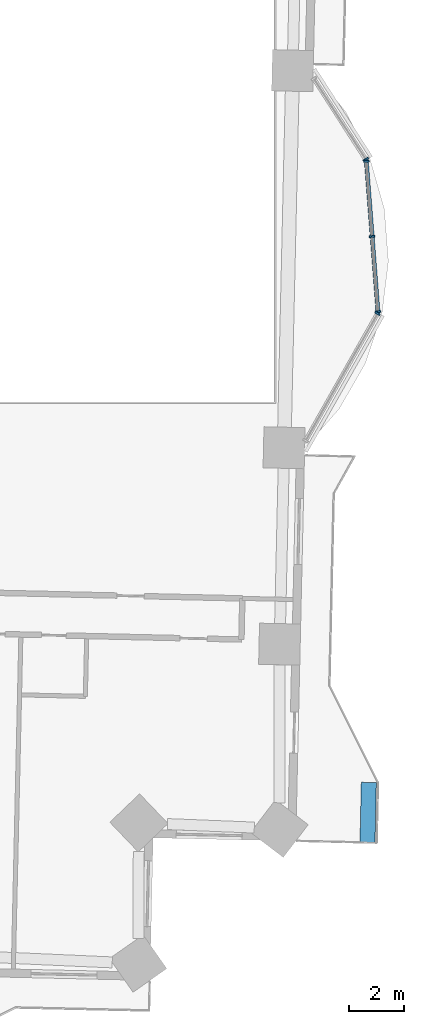
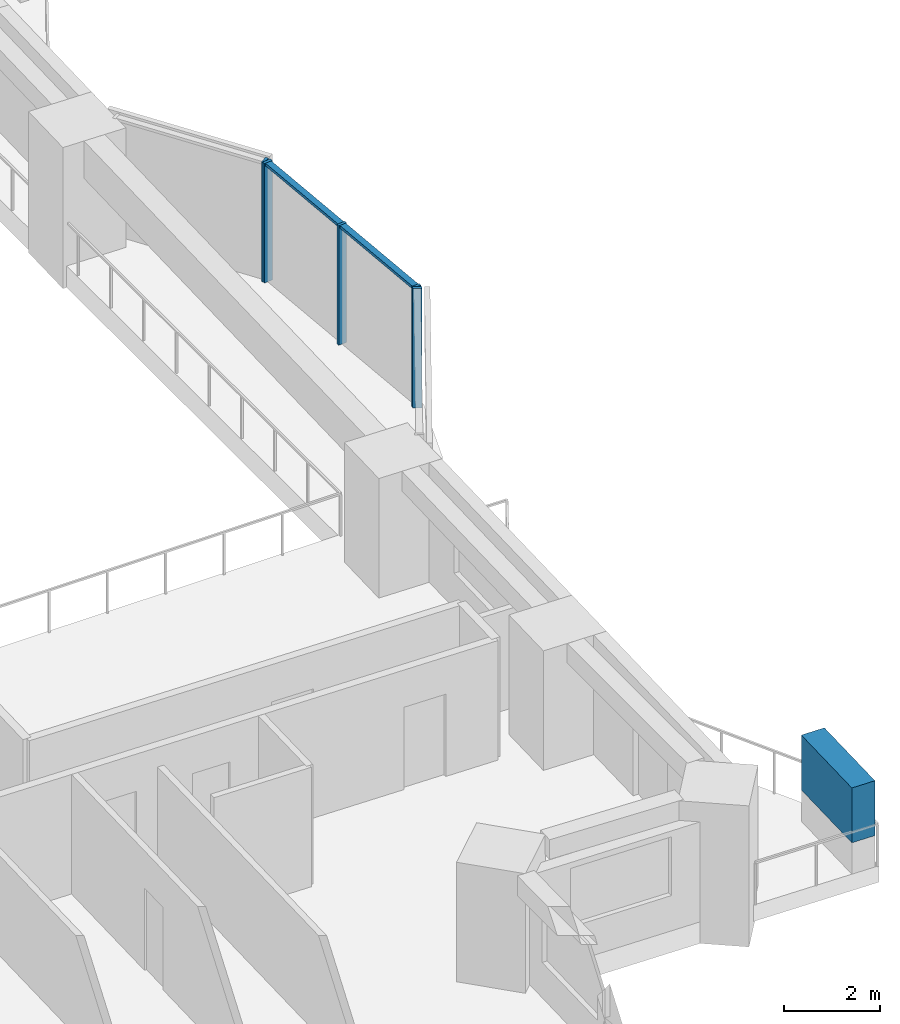
# One storey, part 5 of 18: 8 members, 3 elements without a shape of their own.
"""IFC4 building model written with IfcOpenShell, lengths in metres."""

from ifc_helpers import new_model, si_unit, direction, frame, origin, origin_2d, place, context, subcontext, project, spatial, rectangle, extrude, material, material_profile, profile_set, type_object, element, aggregate, save


model = new_model("IFC4")

# Units and contexts
model_context = context("Model", 3, precision=1e-05, world=origin(), true_north=direction((0.0, 1.0)))
body_context = subcontext(model_context, "Body", "Model", "MODEL_VIEW")
ifc_project = project(units=[si_unit("LENGTHUNIT", "METRE"), si_unit("AREAUNIT", "SQUARE_METRE"), si_unit("VOLUMEUNIT", "CUBIC_METRE"), si_unit("PLANEANGLEUNIT", "RADIAN"), si_unit("MASSUNIT", "GRAM", prefix="KILO")], contexts=[model_context])

# Site, building, storey
site_placement = place(None, origin())
site = spatial("IfcSite", under=ifc_project, at=site_placement, CompositionType="ELEMENT")
building_placement = place(site_placement, origin())
building = spatial("IfcBuilding", under=site, at=building_placement, Name="Mangrove Gate Tower", CompositionType="ELEMENT")
storey_placement = place(building_placement, frame((0.0, 0.0, 56.699951171875)))
storey = spatial("IfcBuildingStorey", under=building, at=storey_placement, Name="L13", CompositionType="ELEMENT", Elevation=56.699951171875)

# Curtain wall, member
ifc_material_1 = material(Name="Aluminium and glass curtain wall", Category="aluminium")
curtain_wall_type = type_object("IfcCurtainWallType", Name="Atrium garden-court glazing wall", PredefinedType="NOTDEFINED", material=ifc_material_1)
curtain_wall_1_placement = place(storey_placement, origin())
curtain_wall_1 = element("IfcCurtainWall", 1, at=curtain_wall_1_placement, inside=storey, type_object=curtain_wall_type, Name="Atrium garden-court glazing E1f1", PredefinedType="NOTDEFINED")
ifc_material_2 = material(Name="Aluminium alloy 6063-T6", Category="aluminium")
ifc_material_profile_1 = material_profile(ifc_material_2, rectangle(XDim=0.070068359375, YDim=0.199951171875, at=origin_2d()))
ifc_profile_set_1 = profile_set([ifc_material_profile_1], Name="Aluminium alloy 6063-T6")
member_type_1 = type_object("IfcMemberType", Name="Atrium garden-court glazing mullion 70x200", PredefinedType="MULLION", material=ifc_profile_set_1)
member_1_placement = place(storey_placement, frame((33.66162109375, -4.2822265625, 0.0), z_axis=(0.0, 0.0, 1.0), x_axis=(0.492603686489, 0.870253760726, 0.0)))
member_1 = element("IfcMember", 2, at=member_1_placement, type_object=member_type_1, Name="CWA mullion 2", PredefinedType="MULLION", context=body_context, shape_type="SweptSolid", body=[
    extrude(rectangle(XDim=0.070068359375, YDim=0.199951171875, at=origin_2d()), origin(), (0.0, 0.0, 1.0), 3.050048828125),
])
aggregate(curtain_wall_1, [member_1])

# Curtain wall, members
curtain_wall_2_placement = place(storey_placement, origin())
curtain_wall_2 = element("IfcCurtainWall", 3, at=curtain_wall_2_placement, inside=storey, type_object=curtain_wall_type, Name="Atrium garden-court glazing E1f2", PredefinedType="NOTDEFINED")
member_2_placement = place(storey_placement, frame((33.67626953125, -4.217041015625, 0.0), z_axis=(0.0, 0.0, 1.0), x_axis=(-0.077023348212, 0.997029289354, 0.0)))
member_2 = element("IfcMember", 4, at=member_2_placement, type_object=member_type_1, Name="CWA mullion 1", PredefinedType="MULLION", context=body_context, shape_type="SweptSolid", body=[
    extrude(rectangle(XDim=0.070068359375, YDim=0.199951171875, at=origin_2d()), origin(), (0.0, 0.0, 1.0), 3.050048828125),
])
member_3_placement = place(storey_placement, frame((33.46435546875, -1.473388671875, 0.0), z_axis=(0.0, 0.0, 1.0), x_axis=(-0.077023348212, 0.997029289354, 0.0)))
member_3 = element("IfcMember", 5, at=member_3_placement, type_object=member_type_1, Name="CWA mullion 2", PredefinedType="MULLION", context=body_context, shape_type="SweptSolid", body=[
    extrude(rectangle(XDim=0.070068359375, YDim=0.199951171875, at=origin_2d()), origin(), (0.0, 0.0, 1.0), 3.050048828125),
])
member_4_placement = place(storey_placement, frame((33.25244140625, 1.270263671875, 0.0), z_axis=(0.0, 0.0, 1.0), x_axis=(-0.077023348212, 0.997029289354, 0.0)))
member_4 = element("IfcMember", 6, at=member_4_placement, type_object=member_type_1, Name="CWA mullion 3", PredefinedType="MULLION", context=body_context, shape_type="SweptSolid", body=[
    extrude(rectangle(XDim=0.070068359375, YDim=0.199951171875, at=origin_2d()), origin(), (0.0, 0.0, 1.0), 3.050048828125),
])

# Curtain wall, member
curtain_wall_3_placement = place(storey_placement, origin())
curtain_wall_3 = element("IfcCurtainWall", 7, at=curtain_wall_3_placement, inside=storey, type_object=curtain_wall_type, Name="Atrium garden-court glazing E1f3", PredefinedType="NOTDEFINED")
member_5_placement = place(storey_placement, frame((33.230712890625, 1.33447265625, 0.0), z_axis=(0.0, 0.0, 1.0), x_axis=(-0.540524576597, 0.841328224948, 0.0)))
member_5 = element("IfcMember", 8, at=member_5_placement, type_object=member_type_1, Name="CWA mullion 1", PredefinedType="MULLION", context=body_context, shape_type="SweptSolid", body=[
    extrude(rectangle(XDim=0.070068359375, YDim=0.199951171875, at=origin_2d()), origin(), (0.0, 0.0, 1.0), 3.050048828125),
])
aggregate(curtain_wall_3, [member_5])

# Member
ifc_material_3 = material(Name="Aluminium alloy 6063-T6", Category="aluminium")
ifc_material_profile_2 = material_profile(ifc_material_3, rectangle(XDim=0.070068359375, YDim=0.14990234375, at=origin_2d()))
ifc_profile_set_2 = profile_set([ifc_material_profile_2], Name="Aluminium alloy 6063-T6")
member_type_2 = type_object("IfcMemberType", Name="Atrium garden-court glazing transom 70x150", PredefinedType="USERDEFINED", material=ifc_profile_set_2)
member_6_placement = place(storey_placement, frame((33.673583984375, -4.18212890625, 3.01513671875), z_axis=(-0.07701672858, 0.997029800718, 0.0), x_axis=(0.0, 0.0, 1.0)))
member_6 = element("IfcMember", 9, at=member_6_placement, type_object=member_type_2, Name="CWA transom 1.2", ObjectType="TRANSOM", PredefinedType="USERDEFINED", context=body_context, shape_type="SweptSolid", body=[
    extrude(rectangle(XDim=0.070068359375, YDim=0.14990234375, at=origin_2d()), origin(), (0.0, 0.0, 1.0), 2.681884765625),
])

member_7_placement = place(storey_placement, frame((33.461669921875, -1.4384765625, 3.01513671875), z_axis=(-0.07701672858, 0.997029800718, 0.0), x_axis=(0.0, 0.0, 1.0)))
member_7 = element("IfcMember", 10, at=member_7_placement, type_object=member_type_2, Name="CWA transom 2.2", ObjectType="TRANSOM", PredefinedType="USERDEFINED", context=body_context, shape_type="SweptSolid", body=[
    extrude(rectangle(XDim=0.070068359375, YDim=0.14990234375, at=origin_2d()), origin(), (0.0, 0.0, 1.0), 2.681884765625),
])

aggregate(curtain_wall_2, [member_2, member_3, member_4, member_6, member_7])

ifc_material_4 = material(Name="Planting on aluminium trellis", Category="aluminium")
ifc_material_profile_3 = material_profile(ifc_material_4, rectangle(XDim=0.550048828125, YDim=1.39990234375, at=origin_2d()))
ifc_profile_set_3 = profile_set([ifc_material_profile_3], Name="Planting on aluminium trellis")
member_type_3 = type_object("IfcMemberType", Name="Balcony greenery screen 550x1400", PredefinedType="USERDEFINED", material=ifc_profile_set_3)
member_8_placement = place(storey_placement, frame((33.2939453125, -23.574951171875, 1.5), z_axis=(0.022754182687, 0.999741090068, 0.0), x_axis=(-0.999741090068, 0.022754182687, 0.0)))
element("IfcMember", 11, at=member_8_placement, inside=storey, type_object=member_type_3, Name="GREEN SCREEN L13 E0.1", ObjectType="PLANTING", PredefinedType="USERDEFINED", context=body_context, shape_type="SweptSolid", body=[
    extrude(rectangle(XDim=0.550048828125, YDim=1.39990234375, at=origin_2d()), origin(), (0.0, 0.0, 1.0), 2.199462890625),
])

save(model, "model.ifc")
